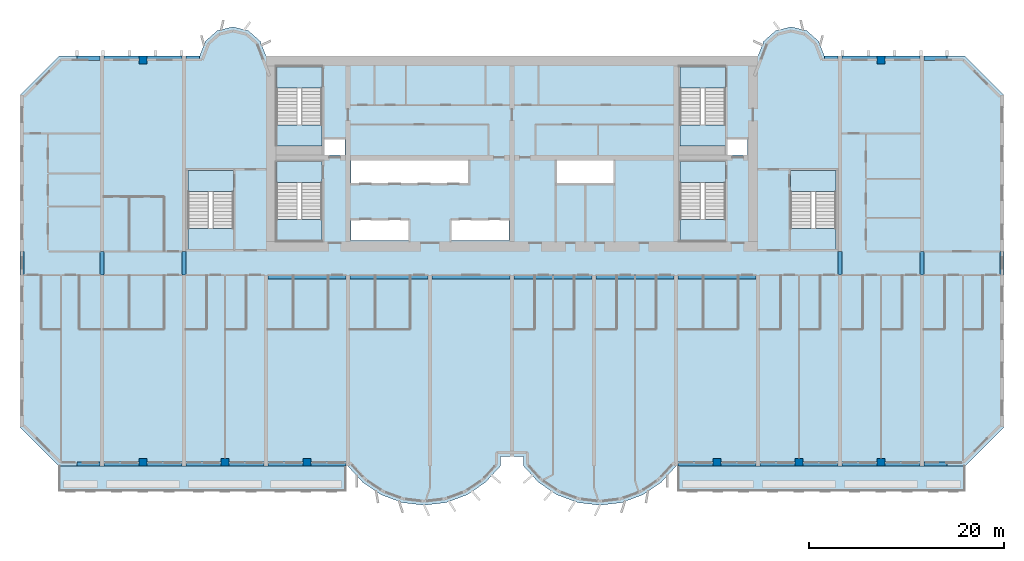
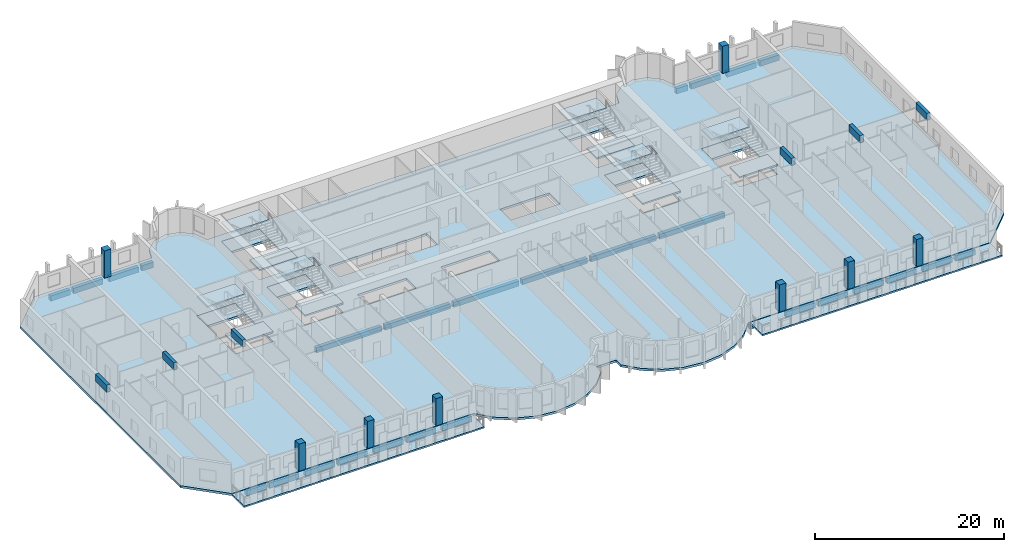
# One storey, part 1 of 14: 34 beams, 21 slabs, 8 columns, 6 elements without a shape of their own.
"""IFC4 building model written with IfcOpenShell, lengths in metres."""

from ifc_helpers import new_model, si_unit, direction, frame, origin, origin_2d, place, context, subcontext, project, spatial, polyline, rectangle, outline, extrude, source, transform, mapped, material, layer, layer_set, material_profile, profile_set, type_object, element, aggregate, save


model = new_model("IFC4")

# Units and contexts
model_context = context("Model", 3, precision=1e-05, world=origin(), true_north=direction((0.0, 1.0)))
body_context = subcontext(model_context, "Body", "Model", "MODEL_VIEW")
ifc_project = project(units=[si_unit("LENGTHUNIT", "METRE"), si_unit("AREAUNIT", "SQUARE_METRE"), si_unit("VOLUMEUNIT", "CUBIC_METRE"), si_unit("PLANEANGLEUNIT", "RADIAN"), si_unit("MASSUNIT", "GRAM", prefix="KILO")], contexts=[model_context])

# Site, building, storey
site_placement = place(None, origin())
site = spatial("IfcSite", under=ifc_project, at=site_placement, CompositionType="ELEMENT")
building_placement = place(site_placement, origin())
building = spatial("IfcBuilding", under=site, at=building_placement, Name="Vanashikhar Sky Hotel", CompositionType="ELEMENT")
storey_placement = place(building_placement, frame((0.0, 0.0, 54.39990234375)))
storey = spatial("IfcBuildingStorey", under=building, at=storey_placement, Name="L12", CompositionType="ELEMENT", Elevation=54.39990234375)

# Columns
ifc_material_1 = material(Name="Concrete M70", Category="concrete")
ifc_material_profile_1 = material_profile(ifc_material_1, rectangle(XDim=0.800048828125, YDim=0.800048828125, at=origin_2d()))
ifc_profile_set_1 = profile_set([ifc_material_profile_1], Name="RC 800x800 column Concrete M70")
column_type = type_object("IfcColumnType", Name="RC 800x800 column Concrete M70", PredefinedType="COLUMN", material=ifc_profile_set_1)
shared_shape_1 = source(origin(), body_context, "Body", "SweptSolid", [
    extrude(rectangle(XDim=0.800048828125, YDim=0.800048828125, at=origin_2d()), origin(), (0.0, 0.0, 1.0), 3.52001953125),
])
for number, where, z_axis, x_axis, name in (
    (1, (12.60009765625, 0.39990234375, 0.0), (0.0, 0.0, 1.0), (1.0, 0.0, 0.0), "CL-L12-CF02"),
    (2, (21.0, 0.39990234375, 0.0), (0.0, 0.0, 1.0), (1.0, 0.0, 0.0), "CL-L12-CF03"),
    (3, (29.39990234375, 0.39990234375, 0.0), (0.0, 0.0, 1.0), (1.0, 0.0, 0.0), "CL-L12-CF04"),
    (4, (71.39990234375, 0.39990234375, 0.0), (0.0, 0.0, 1.0), (1.0, 0.0, 0.0), "CL-L12-CF09"),
    (5, (79.800048828125, 0.39990234375, 0.0), (0.0, 0.0, 1.0), (1.0, 0.0, 0.0), "CL-L12-CF10"),
    (6, (88.199951171875, 0.39990234375, 0.0), (0.0, 0.0, 1.0), (1.0, 0.0, 0.0), "CL-L12-CF11"),
    (7, (12.60009765625, 41.60009765625, 0.0), (0.0, 0.0, 1.0), (1.0, 0.0, 0.0), "CL-L12-CR02"),
    (8, (88.199951171875, 41.60009765625, 0.0), (0.0, 0.0, 1.0), (1.0, 0.0, 0.0), "CL-L12-CR11"),
):
    element("IfcColumn", number, at=place(storey_placement, frame(where, z_axis=z_axis, x_axis=x_axis)), inside=storey, type_object=column_type, Name=name, PredefinedType="COLUMN", context=body_context, shape_type="MappedRepresentation", body=[
        mapped(shared_shape_1, transform((0.0, 0.0, 0.0), scale=1.0)),
    ])

# Beams
ifc_material_2 = material(Name="Concrete M50", Category="concrete")
ifc_material_profile_2 = material_profile(ifc_material_2, rectangle(XDim=0.39990234375, YDim=0.89990234375, at=origin_2d()))
ifc_profile_set_2 = profile_set([ifc_material_profile_2], Name="RC 400x900 beam Concrete M50")
beam_type_1 = type_object("IfcBeamType", Name="RC 400x900 beam Concrete M50", PredefinedType="LINTEL", material=ifc_profile_set_2)
shared_shape_2 = source(origin(), body_context, "Body", "SweptSolid", [
    extrude(rectangle(XDim=0.39990234375, YDim=0.89990234375, at=origin_2d()), origin(), (0.0, 0.0, 1.0), 2.39990234375),
])
for number, where, z_axis, x_axis, name in (
    (9, (0.199951171875, 19.60009765625, 3.070068359375), (0.0, 1.0, 0.0), (-1.0, 0.0, 0.0), "LB-L12-XW01"),
    (10, (8.39990234375, 19.60009765625, 3.070068359375), (0.0, 1.0, 0.0), (-1.0, 0.0, 0.0), "LB-L12-XW02"),
    (11, (16.800048828125, 19.60009765625, 3.070068359375), (0.0, 1.0, 0.0), (-1.0, 0.0, 0.0), "LB-L12-XW03"),
    (12, (84.0, 19.60009765625, 3.070068359375), (0.0, 1.0, 0.0), (-1.0, 0.0, 0.0), "LB-L12-XW11"),
    (13, (92.39990234375, 19.60009765625, 3.070068359375), (0.0, 1.0, 0.0), (-1.0, 0.0, 0.0), "LB-L12-XW12"),
    (14, (100.60009765625, 19.60009765625, 3.070068359375), (0.0, 1.0, 0.0), (-1.0, 0.0, 0.0), "LB-L12-XW13"),
):
    element("IfcBeam", number, at=place(storey_placement, frame(where, z_axis=z_axis, x_axis=x_axis)), inside=storey, type_object=beam_type_1, Name=name, PredefinedType="LINTEL", context=body_context, shape_type="MappedRepresentation", body=[
        mapped(shared_shape_2, transform((0.0, 0.0, 0.0), scale=1.0)),
    ])
ifc_material_profile_3 = material_profile(ifc_material_2, rectangle(XDim=0.449951171875, YDim=0.699951171875, at=origin_2d()))
ifc_profile_set_3 = profile_set([ifc_material_profile_3], Name="RC 450x700 beam Concrete M50")
beam_type_2 = type_object("IfcBeamType", Name="RC 450x700 beam Concrete M50", PredefinedType="BEAM", material=ifc_profile_set_3)
shared_shape_3 = source(origin(), body_context, "Body", "SweptSolid", [
    extrude(rectangle(XDim=0.449951171875, YDim=0.699951171875, at=origin_2d()), origin(), (0.0, 0.0, 1.0), 3.599853515625),
])
for number, where, z_axis, x_axis, name in (
    (15, (8.60009765625, 0.22509765625, -0.6298828125), (1.0, 0.0, 0.0), (0.0, 1.0, 0.0), "EB-L12-F01"),
    (16, (29.800048828125, 0.22509765625, -0.6298828125), (1.0, 0.0, 0.0), (0.0, 1.0, 0.0), "EB-L12-F06"),
    (17, (71.800048828125, 0.22509765625, -0.6298828125), (1.0, 0.0, 0.0), (0.0, 1.0, 0.0), "EB-L12-F09"),
    (18, (75.800048828125, 0.22509765625, -0.6298828125), (1.0, 0.0, 0.0), (0.0, 1.0, 0.0), "EB-L12-F10"),
    (19, (88.60009765625, 0.22509765625, -0.6298828125), (1.0, 0.0, 0.0), (0.0, 1.0, 0.0), "EB-L12-F13"),
    (20, (8.60009765625, 41.77490234375, -0.6298828125), (1.0, 0.0, 0.0), (0.0, 1.0, 0.0), "EB-L12-R01"),
    (21, (88.60009765625, 41.77490234375, -0.6298828125), (1.0, 0.0, 0.0), (0.0, 1.0, 0.0), "EB-L12-R06"),
):
    element("IfcBeam", number, at=place(storey_placement, frame(where, z_axis=z_axis, x_axis=x_axis)), inside=storey, type_object=beam_type_2, Name=name, PredefinedType="BEAM", context=body_context, shape_type="MappedRepresentation", body=[
        mapped(shared_shape_3, transform((0.0, 0.0, 0.0), scale=1.0)),
    ])
shared_shape_4 = source(origin(), body_context, "Body", "SweptSolid", [
    extrude(rectangle(XDim=0.449951171875, YDim=0.699951171875, at=origin_2d()), origin(), (0.0, 0.0, 1.0), 3.60009765625),
])
for number, where, z_axis, x_axis, name in (
    (22, (13.0, 0.22509765625, -0.6298828125), (1.0, 0.0, 0.0), (0.0, 1.0, 0.0), "EB-L12-F02"),
    (23, (17.0, 0.22509765625, -0.6298828125), (1.0, 0.0, 0.0), (0.0, 1.0, 0.0), "EB-L12-F03"),
    (24, (21.39990234375, 0.22509765625, -0.6298828125), (1.0, 0.0, 0.0), (0.0, 1.0, 0.0), "EB-L12-F04"),
    (25, (25.39990234375, 0.22509765625, -0.6298828125), (1.0, 0.0, 0.0), (0.0, 1.0, 0.0), "EB-L12-F05"),
    (26, (67.39990234375, 0.22509765625, -0.6298828125), (1.0, 0.0, 0.0), (0.0, 1.0, 0.0), "EB-L12-F08"),
    (27, (80.199951171875, 0.22509765625, -0.6298828125), (1.0, 0.0, 0.0), (0.0, 1.0, 0.0), "EB-L12-F11"),
    (28, (84.199951171875, 0.22509765625, -0.6298828125), (1.0, 0.0, 0.0), (0.0, 1.0, 0.0), "EB-L12-F12"),
    (29, (13.0, 41.77490234375, -0.6298828125), (1.0, 0.0, 0.0), (0.0, 1.0, 0.0), "EB-L12-R02"),
    (30, (84.199951171875, 41.77490234375, -0.6298828125), (1.0, 0.0, 0.0), (0.0, 1.0, 0.0), "EB-L12-R05"),
):
    element("IfcBeam", number, at=place(storey_placement, frame(where, z_axis=z_axis, x_axis=x_axis)), inside=storey, type_object=beam_type_2, Name=name, PredefinedType="BEAM", context=body_context, shape_type="MappedRepresentation", body=[
        mapped(shared_shape_4, transform((0.0, 0.0, 0.0), scale=1.0)),
    ])
ifc_material_profile_4 = material_profile(ifc_material_2, rectangle(XDim=0.449951171875, YDim=0.699951171875, at=origin_2d()))
ifc_profile_set_4 = profile_set([ifc_material_profile_4], Name="RC 450x700 cantilever beam Concrete M50")
beam_type_3 = type_object("IfcBeamType", Name="RC 450x700 cantilever beam Concrete M50", PredefinedType="SPANDREL", material=ifc_profile_set_4)
shared_shape_5 = source(origin(), body_context, "Body", "SweptSolid", [
    extrude(rectangle(XDim=0.449951171875, YDim=0.699951171875, at=origin_2d()), origin(), (0.0, 0.0, 1.0), 2.3798828125),
])
for number, where, z_axis, x_axis, name in (
    (31, (5.820068359375, 0.22509765625, -0.6298828125), (1.0, 0.0, 0.0), (0.0, 1.0, 0.0), "EB-L12-F07"),
    (32, (92.60009765625, 0.22509765625, -0.6298828125), (1.0, 0.0, 0.0), (0.0, 1.0, 0.0), "EB-L12-F14"),
    (33, (5.820068359375, 41.77490234375, -0.6298828125), (1.0, 0.0, 0.0), (0.0, 1.0, 0.0), "EB-L12-R03"),
    (34, (92.60009765625, 41.77490234375, -0.6298828125), (1.0, 0.0, 0.0), (0.0, 1.0, 0.0), "EB-L12-R08"),
):
    element("IfcBeam", number, at=place(storey_placement, frame(where, z_axis=z_axis, x_axis=x_axis)), inside=storey, type_object=beam_type_3, Name=name, PredefinedType="SPANDREL", context=body_context, shape_type="MappedRepresentation", body=[
        mapped(shared_shape_5, transform((0.0, 0.0, 0.0), scale=1.0)),
    ])
shared_shape_6 = source(origin(), body_context, "Body", "SweptSolid", [
    extrude(rectangle(XDim=0.449951171875, YDim=0.699951171875, at=origin_2d()), origin(), (0.0, 0.0, 1.0), 1.39990234375),
])
beam_1_placement = place(storey_placement, frame((17.0, 41.77490234375, -0.6298828125), z_axis=(1.0, 0.0, 0.0), x_axis=(0.0, 1.0, 0.0)))
element("IfcBeam", 35, at=beam_1_placement, inside=storey, type_object=beam_type_3, Name="EB-L12-R04", PredefinedType="SPANDREL", context=body_context, shape_type="MappedRepresentation", body=[
    mapped(shared_shape_6, transform((0.0, 0.0, 0.0), scale=1.0)),
])
shared_shape_7 = source(origin(), body_context, "Body", "SweptSolid", [
    extrude(rectangle(XDim=0.449951171875, YDim=0.699951171875, at=origin_2d()), origin(), (0.0, 0.0, 1.0), 1.400146484375),
])
beam_2_placement = place(storey_placement, frame((82.39990234375, 41.77490234375, -0.6298828125), z_axis=(1.0, 0.0, 0.0), x_axis=(0.0, 1.0, 0.0)))
element("IfcBeam", 36, at=beam_2_placement, inside=storey, type_object=beam_type_3, Name="EB-L12-R07", PredefinedType="SPANDREL", context=body_context, shape_type="MappedRepresentation", body=[
    mapped(shared_shape_7, transform((0.0, 0.0, 0.0), scale=1.0)),
])
ifc_material_profile_5 = material_profile(ifc_material_2, rectangle(XDim=0.449951171875, YDim=0.64990234375, at=origin_2d()))
ifc_profile_set_5 = profile_set([ifc_material_profile_5], Name="RC 450x650 beam Concrete M50")
beam_type_4 = type_object("IfcBeamType", Name="RC 450x650 beam Concrete M50", PredefinedType="BEAM", material=ifc_profile_set_5)
shared_shape_8 = source(origin(), body_context, "Body", "SweptSolid", [
    extrude(rectangle(XDim=0.449951171875, YDim=0.64990234375, at=origin_2d()), origin(), (0.0, 0.0, 1.0), 8.0),
])
for number, where, z_axis, x_axis, name in (
    (37, (25.39990234375, 19.375, -0.60498046875), (1.0, 0.0, 0.0), (0.0, 1.0, 0.0), "CB-L12-01"),
    (38, (33.800048828125, 19.375, -0.60498046875), (1.0, 0.0, 0.0), (0.0, 1.0, 0.0), "CB-L12-02"),
    (39, (42.199951171875, 19.375, -0.60498046875), (1.0, 0.0, 0.0), (0.0, 1.0, 0.0), "CB-L12-03"),
    (40, (50.60009765625, 19.375, -0.60498046875), (1.0, 0.0, 0.0), (0.0, 1.0, 0.0), "CB-L12-04"),
    (41, (59.0, 19.375, -0.60498046875), (1.0, 0.0, 0.0), (0.0, 1.0, 0.0), "CB-L12-05"),
    (42, (67.39990234375, 19.375, -0.60498046875), (1.0, 0.0, 0.0), (0.0, 1.0, 0.0), "CB-L12-06"),
):
    element("IfcBeam", number, at=place(storey_placement, frame(where, z_axis=z_axis, x_axis=x_axis)), inside=storey, type_object=beam_type_4, Name=name, PredefinedType="BEAM", context=body_context, shape_type="MappedRepresentation", body=[
        mapped(shared_shape_8, transform((0.0, 0.0, 0.0), scale=1.0)),
    ])

# Slabs
ifc_material_3 = material(Name="Concrete M40", Category="concrete")
ifc_layer_1 = layer(ifc_material_3, 0.280029296875)
ifc_layer_set_1 = layer_set([ifc_layer_1], Name="Floor slab 280 mm")
slab_type_1 = type_object("IfcSlabType", Name="Floor slab 280 mm", PredefinedType="FLOOR", material=ifc_layer_set_1)
shared_shape_9 = source(origin(), body_context, "Body", "SweptSolid", [
    extrude(outline(polyline([(49.199951171875, 0.0), (49.199951171875, 1.0), (51.60009765625, 1.0), (51.60009765625, 0.0), (53.133056640625, -1.674072265625), (55.01708984375, -2.94189453125), (57.14599609375, -3.73193359375), (59.39990234375, -4.0), (61.654052734375, -3.73193359375), (63.782958984375, -2.94189453125), (65.6669921875, -1.674072265625), (67.199951171875, 0.0), (96.800048828125, 0.0), (100.800048828125, 4.0), (100.800048828125, 38.0), (96.800048828125, 42.0), (82.39990234375, 42.0), (81.81494140625, 43.527099609375), (80.587890625, 44.610107421875), (79.0, 45.0), (77.412109375, 44.610107421875), (76.18505859375, 43.527099609375), (75.60009765625, 42.0), (25.199951171875, 42.0), (24.614990234375, 43.527099609375), (23.387939453125, 44.610107421875), (21.800048828125, 45.0), (20.2119140625, 44.610107421875), (18.985107421875, 43.527099609375), (18.39990234375, 42.0), (4.0, 42.0), (0.0, 38.0), (0.0, 4.0), (4.0, 0.0), (33.60009765625, 0.0), (35.133056640625, -1.674072265625), (37.01708984375, -2.94189453125), (39.14599609375, -3.73193359375), (41.39990234375, -4.0), (43.654052734375, -3.73193359375), (45.782958984375, -2.94189453125), (47.6669921875, -1.674072265625), (49.199951171875, 0.0)]), holes=[polyline([(33.300048828125, 33.60009765625), (31.050048828125, 33.60009765625), (31.050048828125, 31.89990234375), (33.300048828125, 31.89990234375), (33.300048828125, 33.60009765625)]), polyline([(33.89990234375, 25.199951171875), (33.89990234375, 23.10009765625), (39.89990234375, 23.10009765625), (39.89990234375, 25.199951171875), (33.89990234375, 25.199951171875)]), polyline([(33.89990234375, 31.300048828125), (33.89990234375, 29.0), (45.89990234375, 29.0), (45.89990234375, 31.300048828125), (33.89990234375, 31.300048828125)]), polyline([(44.10009765625, 25.199951171875), (44.10009765625, 23.10009765625), (50.10009765625, 23.10009765625), (50.10009765625, 25.199951171875), (44.10009765625, 25.199951171875)]), polyline([(54.89990234375, 31.300048828125), (54.89990234375, 29.0), (60.89990234375, 29.0), (60.89990234375, 31.300048828125), (54.89990234375, 31.300048828125)]), polyline([(74.5, 33.60009765625), (72.35009765625, 33.60009765625), (72.35009765625, 31.89990234375), (74.5, 31.89990234375), (74.5, 33.60009765625)]), polyline([(30.949951171875, 23.10009765625), (30.949951171875, 31.199951171875), (26.300048828125, 31.199951171875), (26.300048828125, 23.10009765625), (30.949951171875, 23.10009765625)]), polyline([(72.25, 23.10009765625), (72.25, 31.199951171875), (67.60009765625, 31.199951171875), (67.60009765625, 23.10009765625), (72.25, 23.10009765625)]), polyline([(30.949951171875, 32.800048828125), (30.949951171875, 40.89990234375), (26.300048828125, 40.89990234375), (26.300048828125, 32.800048828125), (30.949951171875, 32.800048828125)]), polyline([(72.25, 32.800048828125), (72.25, 40.89990234375), (67.60009765625, 40.89990234375), (67.60009765625, 32.800048828125), (72.25, 32.800048828125)]), polyline([(83.60009765625, 22.199951171875), (83.60009765625, 30.300048828125), (78.949951171875, 30.300048828125), (78.949951171875, 22.199951171875), (83.60009765625, 22.199951171875)]), polyline([(21.85009765625, 22.199951171875), (21.85009765625, 30.300048828125), (17.199951171875, 30.300048828125), (17.199951171875, 22.199951171875), (21.85009765625, 22.199951171875)])]), origin(), (0.0, 0.0, 1.0), 0.27978515625),
])
slab_1_placement = place(storey_placement, frame((0.0, 0.0, -0.27978515625)))
element("IfcSlab", 43, at=slab_1_placement, inside=storey, type_object=slab_type_1, Name="Floor slab L12", PredefinedType="FLOOR", context=body_context, shape_type="MappedRepresentation", body=[
    mapped(shared_shape_9, transform((0.0, 0.0, 0.0), scale=1.0)),
])
ifc_layer_2 = layer(ifc_material_3, 0.199951171875)
ifc_layer_set_2 = layer_set([ifc_layer_2], Name="Balcony slab 200 mm")
slab_type_2 = type_object("IfcSlabType", Name="Balcony slab 200 mm", PredefinedType="USERDEFINED", material=ifc_layer_set_2)
shared_shape_10 = source(origin(), body_context, "Body", "SweptSolid", [
    extrude(outline(polyline([(4.0, -2.60009765625), (33.39990234375, -2.60009765625), (33.39990234375, 0.0), (4.0, 0.0), (4.0, -2.60009765625)])), origin(), (0.0, 0.0, 1.0), 0.2001953125),
])
slab_2_placement = place(storey_placement, frame((0.0, 0.0, -0.25)))
element("IfcSlab", 44, at=slab_2_placement, inside=storey, type_object=slab_type_2, Name="Balcony slab L12 1", ObjectType="BALCONY", PredefinedType="USERDEFINED", context=body_context, shape_type="MappedRepresentation", body=[
    mapped(shared_shape_10, transform((0.0, 0.0, 0.0), scale=1.0)),
])
shared_shape_11 = source(origin(), body_context, "Body", "SweptSolid", [
    extrude(outline(polyline([(67.39990234375, -2.60009765625), (96.800048828125, -2.60009765625), (96.800048828125, 0.0), (67.39990234375, 0.0), (67.39990234375, -2.60009765625)])), origin(), (0.0, 0.0, 1.0), 0.2001953125),
])
slab_3_placement = place(storey_placement, frame((0.0, 0.0, -0.25)))
element("IfcSlab", 45, at=slab_3_placement, inside=storey, type_object=slab_type_2, Name="Balcony slab L12 2", ObjectType="BALCONY", PredefinedType="USERDEFINED", context=body_context, shape_type="MappedRepresentation", body=[
    mapped(shared_shape_11, transform((0.0, 0.0, 0.0), scale=1.0)),
])

# Stair, slabs
stair_type = type_object("IfcStairType", Name="Exit stair 2150", PredefinedType="DOUBLE_RETURN_STAIR", material=ifc_material_3)
stair_1_placement = place(storey_placement, origin())
stair_1 = element("IfcStair", 46, at=stair_1_placement, inside=storey, type_object=stair_type, Name="L12 Exit stair 1", PredefinedType="DOUBLE_RETURN_STAIR")
ifc_layer_3 = layer(ifc_material_3, 0.199951171875)
ifc_layer_set_3 = layer_set([ifc_layer_3], Name="Stair landing 200")
slab_type_3 = type_object("IfcSlabType", Name="Stair landing 200", PredefinedType="LANDING", material=ifc_layer_set_3)
shared_shape_12 = source(origin(), body_context, "Body", "SweptSolid", [
    extrude(outline(polyline([(30.949951171875, 29.050048828125), (30.949951171875, 31.199951171875), (26.300048828125, 31.199951171875), (26.300048828125, 29.050048828125), (30.949951171875, 29.050048828125)])), origin(), (0.0, 0.0, 1.0), 0.199951171875),
])
slab_4_placement = place(storey_placement, frame((0.0, 0.0, 2.33349609375)))
slab_4 = element("IfcSlab", 47, at=slab_4_placement, type_object=slab_type_3, Name="ST-C1 landing 2", PredefinedType="LANDING", context=body_context, shape_type="MappedRepresentation", body=[
    mapped(shared_shape_12, transform((0.0, 0.0, 0.0), scale=1.0)),
])
shared_shape_13 = source(origin(), body_context, "Body", "SweptSolid", [
    extrude(outline(polyline([(30.949951171875, 23.10009765625), (30.949951171875, 25.25), (26.300048828125, 25.25), (26.300048828125, 23.10009765625), (30.949951171875, 23.10009765625)])), origin(), (0.0, 0.0, 1.0), 0.2001953125),
])
slab_5_placement = place(storey_placement, frame((0.0, 0.0, 1.066650390625)))
slab_5 = element("IfcSlab", 48, at=slab_5_placement, type_object=slab_type_3, Name="ST-C1 landing 1", PredefinedType="LANDING", context=body_context, shape_type="MappedRepresentation", body=[
    mapped(shared_shape_13, transform((0.0, 0.0, 0.0), scale=1.0)),
])
aggregate(stair_1, [slab_5, slab_4])

# Slab
ifc_layer_4 = layer(ifc_material_3, 0.280029296875)
ifc_layer_set_4 = layer_set([ifc_layer_4], Name="Stair floor landing 280")
slab_type_4 = type_object("IfcSlabType", Name="Stair floor landing 280", PredefinedType="LANDING", material=ifc_layer_set_4)
shared_shape_14 = source(origin(), body_context, "Body", "SweptSolid", [
    extrude(outline(polyline([(30.949951171875, 29.050048828125), (30.949951171875, 31.199951171875), (26.300048828125, 31.199951171875), (26.300048828125, 29.050048828125), (30.949951171875, 29.050048828125)])), origin(), (0.0, 0.0, 1.0), 0.27978515625),
])
slab_6_placement = place(storey_placement, frame((0.0, 0.0, -0.27978515625)))
element("IfcSlab", 49, at=slab_6_placement, inside=storey, type_object=slab_type_4, Name="Exit stair 1 floor landing", PredefinedType="LANDING", context=body_context, shape_type="MappedRepresentation", body=[
    mapped(shared_shape_14, transform((0.0, 0.0, 0.0), scale=1.0)),
])

# Stair, slabs
stair_2_placement = place(storey_placement, origin())
stair_2 = element("IfcStair", 50, at=stair_2_placement, inside=storey, type_object=stair_type, Name="L12 Exit stair 2", PredefinedType="DOUBLE_RETURN_STAIR")
shared_shape_15 = source(origin(), body_context, "Body", "SweptSolid", [
    extrude(outline(polyline([(72.25, 29.050048828125), (72.25, 31.199951171875), (67.60009765625, 31.199951171875), (67.60009765625, 29.050048828125), (72.25, 29.050048828125)])), origin(), (0.0, 0.0, 1.0), 0.199951171875),
])
slab_7_placement = place(storey_placement, frame((0.0, 0.0, 2.33349609375)))
slab_7 = element("IfcSlab", 51, at=slab_7_placement, type_object=slab_type_3, Name="ST-C2 landing 2", PredefinedType="LANDING", context=body_context, shape_type="MappedRepresentation", body=[
    mapped(shared_shape_15, transform((0.0, 0.0, 0.0), scale=1.0)),
])
shared_shape_16 = source(origin(), body_context, "Body", "SweptSolid", [
    extrude(outline(polyline([(72.25, 23.10009765625), (72.25, 25.25), (67.60009765625, 25.25), (67.60009765625, 23.10009765625), (72.25, 23.10009765625)])), origin(), (0.0, 0.0, 1.0), 0.2001953125),
])
slab_8_placement = place(storey_placement, frame((0.0, 0.0, 1.066650390625)))
slab_8 = element("IfcSlab", 52, at=slab_8_placement, type_object=slab_type_3, Name="ST-C2 landing 1", PredefinedType="LANDING", context=body_context, shape_type="MappedRepresentation", body=[
    mapped(shared_shape_16, transform((0.0, 0.0, 0.0), scale=1.0)),
])
aggregate(stair_2, [slab_8, slab_7])

# Slab
shared_shape_17 = source(origin(), body_context, "Body", "SweptSolid", [
    extrude(outline(polyline([(72.25, 29.050048828125), (72.25, 31.199951171875), (67.60009765625, 31.199951171875), (67.60009765625, 29.050048828125), (72.25, 29.050048828125)])), origin(), (0.0, 0.0, 1.0), 0.27978515625),
])
slab_9_placement = place(storey_placement, frame((0.0, 0.0, -0.27978515625)))
element("IfcSlab", 53, at=slab_9_placement, inside=storey, type_object=slab_type_4, Name="Exit stair 2 floor landing", PredefinedType="LANDING", context=body_context, shape_type="MappedRepresentation", body=[
    mapped(shared_shape_17, transform((0.0, 0.0, 0.0), scale=1.0)),
])

# Stair, slabs
stair_3_placement = place(storey_placement, origin())
stair_3 = element("IfcStair", 54, at=stair_3_placement, inside=storey, type_object=stair_type, Name="L12 Exit stair 3", PredefinedType="DOUBLE_RETURN_STAIR")
shared_shape_18 = source(origin(), body_context, "Body", "SweptSolid", [
    extrude(outline(polyline([(21.85009765625, 28.14990234375), (21.85009765625, 30.300048828125), (17.199951171875, 30.300048828125), (17.199951171875, 28.14990234375), (21.85009765625, 28.14990234375)])), origin(), (0.0, 0.0, 1.0), 0.199951171875),
])
slab_10_placement = place(storey_placement, frame((0.0, 0.0, 2.33349609375)))
slab_10 = element("IfcSlab", 55, at=slab_10_placement, type_object=slab_type_3, Name="ST-W landing 2", PredefinedType="LANDING", context=body_context, shape_type="MappedRepresentation", body=[
    mapped(shared_shape_18, transform((0.0, 0.0, 0.0), scale=1.0)),
])
shared_shape_19 = source(origin(), body_context, "Body", "SweptSolid", [
    extrude(outline(polyline([(21.85009765625, 22.199951171875), (21.85009765625, 24.35009765625), (17.199951171875, 24.35009765625), (17.199951171875, 22.199951171875), (21.85009765625, 22.199951171875)])), origin(), (0.0, 0.0, 1.0), 0.2001953125),
])
slab_11_placement = place(storey_placement, frame((0.0, 0.0, 1.066650390625)))
slab_11 = element("IfcSlab", 56, at=slab_11_placement, type_object=slab_type_3, Name="ST-W landing 1", PredefinedType="LANDING", context=body_context, shape_type="MappedRepresentation", body=[
    mapped(shared_shape_19, transform((0.0, 0.0, 0.0), scale=1.0)),
])
aggregate(stair_3, [slab_11, slab_10])

# Slab
shared_shape_20 = source(origin(), body_context, "Body", "SweptSolid", [
    extrude(outline(polyline([(21.85009765625, 28.14990234375), (21.85009765625, 30.300048828125), (17.199951171875, 30.300048828125), (17.199951171875, 28.14990234375), (21.85009765625, 28.14990234375)])), origin(), (0.0, 0.0, 1.0), 0.27978515625),
])
slab_12_placement = place(storey_placement, frame((0.0, 0.0, -0.27978515625)))
element("IfcSlab", 57, at=slab_12_placement, inside=storey, type_object=slab_type_4, Name="Exit stair 3 floor landing", PredefinedType="LANDING", context=body_context, shape_type="MappedRepresentation", body=[
    mapped(shared_shape_20, transform((0.0, 0.0, 0.0), scale=1.0)),
])

# Stair, slabs
stair_4_placement = place(storey_placement, origin())
stair_4 = element("IfcStair", 58, at=stair_4_placement, inside=storey, type_object=stair_type, Name="L12 Exit stair 4", PredefinedType="DOUBLE_RETURN_STAIR")
shared_shape_21 = source(origin(), body_context, "Body", "SweptSolid", [
    extrude(outline(polyline([(83.60009765625, 28.14990234375), (83.60009765625, 30.300048828125), (78.949951171875, 30.300048828125), (78.949951171875, 28.14990234375), (83.60009765625, 28.14990234375)])), origin(), (0.0, 0.0, 1.0), 0.199951171875),
])
slab_13_placement = place(storey_placement, frame((0.0, 0.0, 2.33349609375)))
slab_13 = element("IfcSlab", 59, at=slab_13_placement, type_object=slab_type_3, Name="ST-E landing 2", PredefinedType="LANDING", context=body_context, shape_type="MappedRepresentation", body=[
    mapped(shared_shape_21, transform((0.0, 0.0, 0.0), scale=1.0)),
])
shared_shape_22 = source(origin(), body_context, "Body", "SweptSolid", [
    extrude(outline(polyline([(83.60009765625, 22.199951171875), (83.60009765625, 24.35009765625), (78.949951171875, 24.35009765625), (78.949951171875, 22.199951171875), (83.60009765625, 22.199951171875)])), origin(), (0.0, 0.0, 1.0), 0.2001953125),
])
slab_14_placement = place(storey_placement, frame((0.0, 0.0, 1.066650390625)))
slab_14 = element("IfcSlab", 60, at=slab_14_placement, type_object=slab_type_3, Name="ST-E landing 1", PredefinedType="LANDING", context=body_context, shape_type="MappedRepresentation", body=[
    mapped(shared_shape_22, transform((0.0, 0.0, 0.0), scale=1.0)),
])
aggregate(stair_4, [slab_14, slab_13])

# Slab
shared_shape_23 = source(origin(), body_context, "Body", "SweptSolid", [
    extrude(outline(polyline([(83.60009765625, 28.14990234375), (83.60009765625, 30.300048828125), (78.949951171875, 30.300048828125), (78.949951171875, 28.14990234375), (83.60009765625, 28.14990234375)])), origin(), (0.0, 0.0, 1.0), 0.27978515625),
])
slab_15_placement = place(storey_placement, frame((0.0, 0.0, -0.27978515625)))
element("IfcSlab", 61, at=slab_15_placement, inside=storey, type_object=slab_type_4, Name="Exit stair 4 floor landing", PredefinedType="LANDING", context=body_context, shape_type="MappedRepresentation", body=[
    mapped(shared_shape_23, transform((0.0, 0.0, 0.0), scale=1.0)),
])

# Stair, slabs
stair_5_placement = place(storey_placement, origin())
stair_5 = element("IfcStair", 62, at=stair_5_placement, inside=storey, type_object=stair_type, Name="L12 Exit stair 5", PredefinedType="DOUBLE_RETURN_STAIR")
shared_shape_24 = source(origin(), body_context, "Body", "SweptSolid", [
    extrude(outline(polyline([(30.949951171875, 38.75), (30.949951171875, 40.89990234375), (26.300048828125, 40.89990234375), (26.300048828125, 38.75), (30.949951171875, 38.75)])), origin(), (0.0, 0.0, 1.0), 0.199951171875),
])
slab_16_placement = place(storey_placement, frame((0.0, 0.0, 2.33349609375)))
slab_16 = element("IfcSlab", 63, at=slab_16_placement, type_object=slab_type_3, Name="ST-C3 landing 2", PredefinedType="LANDING", context=body_context, shape_type="MappedRepresentation", body=[
    mapped(shared_shape_24, transform((0.0, 0.0, 0.0), scale=1.0)),
])
shared_shape_25 = source(origin(), body_context, "Body", "SweptSolid", [
    extrude(outline(polyline([(30.949951171875, 32.800048828125), (30.949951171875, 34.949951171875), (26.300048828125, 34.949951171875), (26.300048828125, 32.800048828125), (30.949951171875, 32.800048828125)])), origin(), (0.0, 0.0, 1.0), 0.2001953125),
])
slab_17_placement = place(storey_placement, frame((0.0, 0.0, 1.066650390625)))
slab_17 = element("IfcSlab", 64, at=slab_17_placement, type_object=slab_type_3, Name="ST-C3 landing 1", PredefinedType="LANDING", context=body_context, shape_type="MappedRepresentation", body=[
    mapped(shared_shape_25, transform((0.0, 0.0, 0.0), scale=1.0)),
])
aggregate(stair_5, [slab_17, slab_16])

# Slab
shared_shape_26 = source(origin(), body_context, "Body", "SweptSolid", [
    extrude(outline(polyline([(30.949951171875, 38.75), (30.949951171875, 40.89990234375), (26.300048828125, 40.89990234375), (26.300048828125, 38.75), (30.949951171875, 38.75)])), origin(), (0.0, 0.0, 1.0), 0.27978515625),
])
slab_18_placement = place(storey_placement, frame((0.0, 0.0, -0.27978515625)))
element("IfcSlab", 65, at=slab_18_placement, inside=storey, type_object=slab_type_4, Name="Exit stair 5 floor landing", PredefinedType="LANDING", context=body_context, shape_type="MappedRepresentation", body=[
    mapped(shared_shape_26, transform((0.0, 0.0, 0.0), scale=1.0)),
])

# Stair, slabs
stair_6_placement = place(storey_placement, origin())
stair_6 = element("IfcStair", 66, at=stair_6_placement, inside=storey, type_object=stair_type, Name="L12 Exit stair 6", PredefinedType="DOUBLE_RETURN_STAIR")
shared_shape_27 = source(origin(), body_context, "Body", "SweptSolid", [
    extrude(outline(polyline([(72.25, 38.75), (72.25, 40.89990234375), (67.60009765625, 40.89990234375), (67.60009765625, 38.75), (72.25, 38.75)])), origin(), (0.0, 0.0, 1.0), 0.199951171875),
])
slab_19_placement = place(storey_placement, frame((0.0, 0.0, 2.33349609375)))
slab_19 = element("IfcSlab", 67, at=slab_19_placement, type_object=slab_type_3, Name="ST-C4 landing 2", PredefinedType="LANDING", context=body_context, shape_type="MappedRepresentation", body=[
    mapped(shared_shape_27, transform((0.0, 0.0, 0.0), scale=1.0)),
])
shared_shape_28 = source(origin(), body_context, "Body", "SweptSolid", [
    extrude(outline(polyline([(72.25, 32.800048828125), (72.25, 34.949951171875), (67.60009765625, 34.949951171875), (67.60009765625, 32.800048828125), (72.25, 32.800048828125)])), origin(), (0.0, 0.0, 1.0), 0.2001953125),
])
slab_20_placement = place(storey_placement, frame((0.0, 0.0, 1.066650390625)))
slab_20 = element("IfcSlab", 68, at=slab_20_placement, type_object=slab_type_3, Name="ST-C4 landing 1", PredefinedType="LANDING", context=body_context, shape_type="MappedRepresentation", body=[
    mapped(shared_shape_28, transform((0.0, 0.0, 0.0), scale=1.0)),
])
aggregate(stair_6, [slab_20, slab_19])

# Slab
shared_shape_29 = source(origin(), body_context, "Body", "SweptSolid", [
    extrude(outline(polyline([(72.25, 38.75), (72.25, 40.89990234375), (67.60009765625, 40.89990234375), (67.60009765625, 38.75), (72.25, 38.75)])), origin(), (0.0, 0.0, 1.0), 0.27978515625),
])
slab_21_placement = place(storey_placement, frame((0.0, 0.0, -0.27978515625)))
element("IfcSlab", 69, at=slab_21_placement, inside=storey, type_object=slab_type_4, Name="Exit stair 6 floor landing", PredefinedType="LANDING", context=body_context, shape_type="MappedRepresentation", body=[
    mapped(shared_shape_29, transform((0.0, 0.0, 0.0), scale=1.0)),
])

save(model, "model.ifc")
